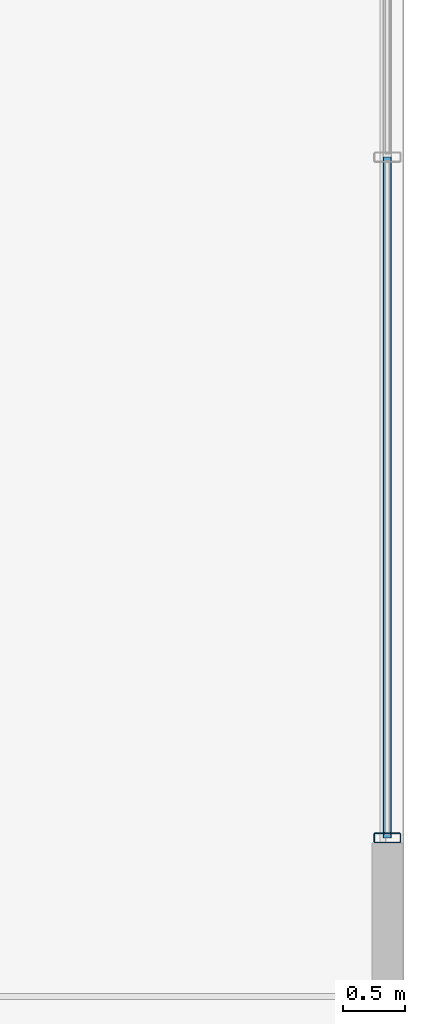
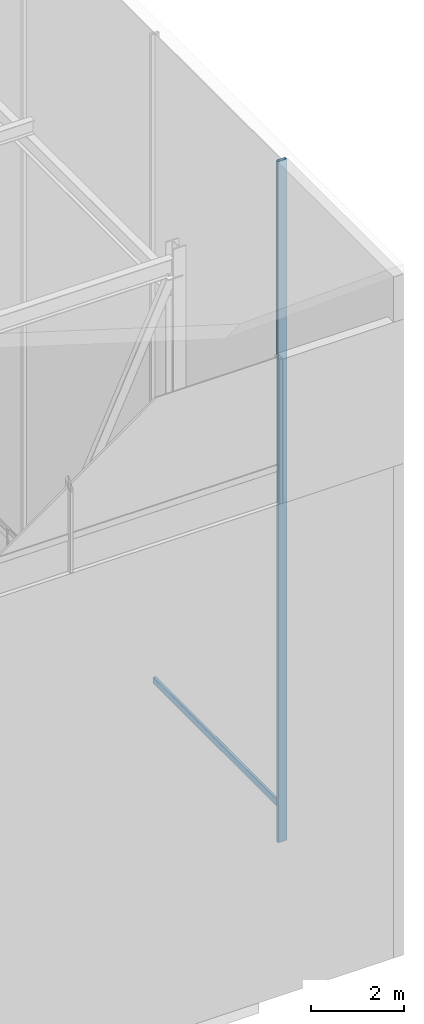
# One storey, part 26 of 39: 2 members, 1 element without a shape of its own.
"""IFC4 building model written with IfcOpenShell, lengths in metres."""

from ifc_helpers import new_model, si_unit, direction, frame, origin, origin_2d, place, context, subcontext, project, spatial, hollow_rectangle, extrude, material, layer, layer_set, material_profile, profile_set, type_object, element, aggregate, save


model = new_model("IFC4")

# Units and contexts
model_context = context("Model", 3, precision=1e-05, world=origin(), true_north=direction((0.0, 1.0)))
body_context = subcontext(model_context, "Body", "Model", "MODEL_VIEW")
ifc_project = project(units=[si_unit("LENGTHUNIT", "METRE"), si_unit("AREAUNIT", "SQUARE_METRE"), si_unit("VOLUMEUNIT", "CUBIC_METRE"), si_unit("PLANEANGLEUNIT", "RADIAN"), si_unit("MASSUNIT", "GRAM", prefix="KILO")], contexts=[model_context])

# Site, building, storey
site_placement = place(None, origin())
site = spatial("IfcSite", under=ifc_project, at=site_placement, CompositionType="ELEMENT")
building_placement = place(site_placement, origin())
building = spatial("IfcBuilding", under=site, at=building_placement, Name="Korimba Cascade Residences", CompositionType="ELEMENT")
storey_placement = place(building_placement, frame((0.0, 0.0, 264.199951171875)))
storey = spatial("IfcBuildingStorey", under=building, at=storey_placement, Name="RF", CompositionType="ELEMENT", Elevation=264.199951171875)

# Curtain wall, members
ifc_material_1 = material(Name="Anodised Aluminium Curtain Wall Framing", Category="aluminium")
ifc_layer = layer(ifc_material_1, 0.179931640625)
ifc_layer_set = layer_set([ifc_layer], Name="Anodised Aluminium Curtain Wall Framing")
curtain_wall_type = type_object("IfcCurtainWallType", Name="CW-CRNW-SYS5", PredefinedType="NOTDEFINED", material=ifc_layer_set)
curtain_wall_placement = place(storey_placement, origin())
curtain_wall = element("IfcCurtainWall", 1, at=curtain_wall_placement, inside=storey, type_object=curtain_wall_type, Name="RF Curtain Wall CW-RF-CRN-E-1", PredefinedType="NOTDEFINED")
ifc_material_2 = material(Name="Anodised Aluminium Mullion", Category="aluminium")
ifc_material_profile_1 = material_profile(ifc_material_2, hollow_rectangle(XDim=0.080078125, YDim=0.219970703125, WallThickness=0.00634765625, InnerFilletRadius=0.00634765625, OuterFilletRadius=0.0126953125, at=origin_2d()), Name="Anodised Aluminium Mullion")
ifc_profile_set_1 = profile_set([ifc_material_profile_1], Name="Anodised Aluminium Mullion")
member_type_1 = type_object("IfcMemberType", Name="CWM-MUL-220", PredefinedType="MULLION", material=ifc_profile_set_1)
member_1_placement = place(storey_placement, frame((131.875, 56.639892578125, 0.0), z_axis=(0.0, 0.0, 1.0), x_axis=(0.0, 1.0, 0.0)))
member_1 = element("IfcMember", 2, at=member_1_placement, type_object=member_type_1, Name="CW-RF-CRN-E-1 Mullion 1", PredefinedType="MULLION", context=body_context, shape_type="SweptSolid", body=[
    extrude(hollow_rectangle(XDim=0.080078125, YDim=0.219970703125, WallThickness=0.00634765625, InnerFilletRadius=0.00634765625, OuterFilletRadius=0.0126953125, at=origin_2d()), origin(), (0.0, 0.0, 1.0), 17.945556640625),
])
ifc_material_3 = material(Name="Anodised Aluminium Transom", Category="aluminium")
ifc_material_profile_2 = material_profile(ifc_material_3, hollow_rectangle(XDim=0.070068359375, YDim=0.179931640625, WallThickness=0.0048828125, InnerFilletRadius=0.0048828125, OuterFilletRadius=0.010009765625, at=origin_2d()), Name="Anodised Aluminium Transom")
ifc_profile_set_2 = profile_set([ifc_material_profile_2], Name="Anodised Aluminium Transom")
member_type_2 = type_object("IfcMemberType", Name="CWM-TRN-150", PredefinedType="USERDEFINED", material=ifc_profile_set_2)
member_2_placement = place(storey_placement, frame((131.875, 56.639892578125, 0.900146484375), z_axis=(0.0, 1.0, 0.0), x_axis=(-1.0, 0.0, 0.0)))
member_2 = element("IfcMember", 3, at=member_2_placement, type_object=member_type_2, Name="CW-RF-CRN-E-1 Transom 1", ObjectType="TRANSOM", PredefinedType="USERDEFINED", context=body_context, shape_type="SweptSolid", body=[
    extrude(hollow_rectangle(XDim=0.070068359375, YDim=0.179931640625, WallThickness=0.0048828125, InnerFilletRadius=0.0048828125, OuterFilletRadius=0.010009765625, at=origin_2d()), origin(), (0.0, 0.0, 1.0), 5.493408203125),
])
aggregate(curtain_wall, [member_1, member_2])

save(model, "model.ifc")
